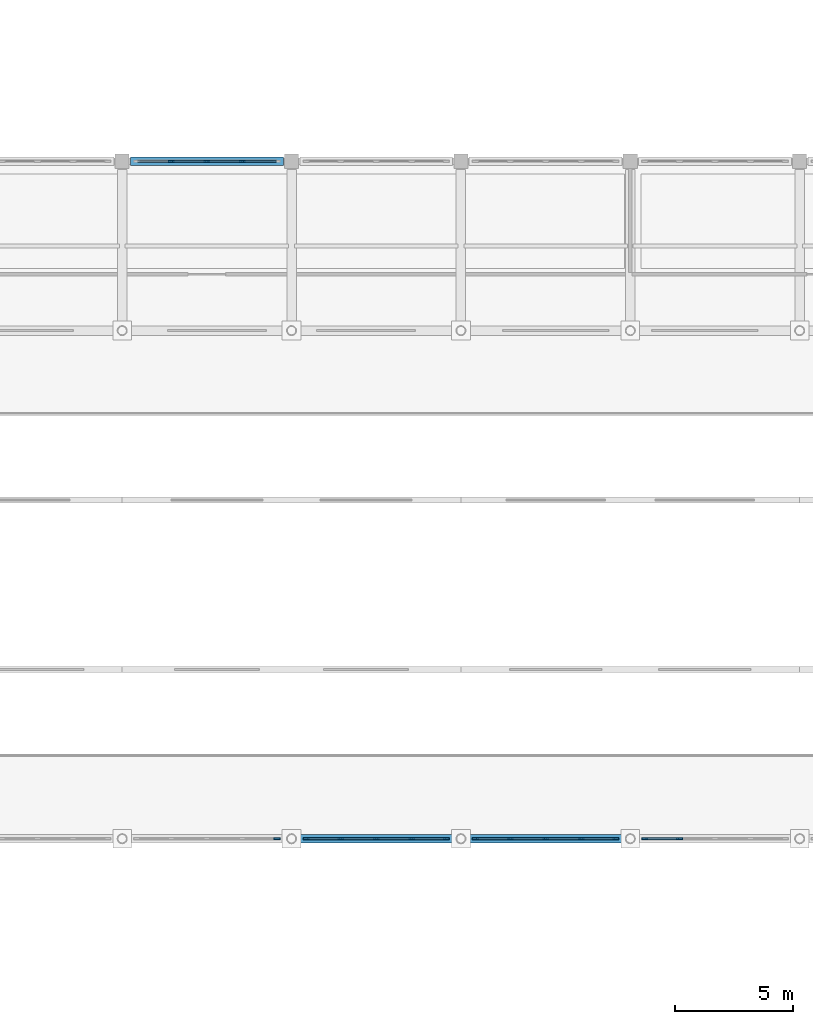
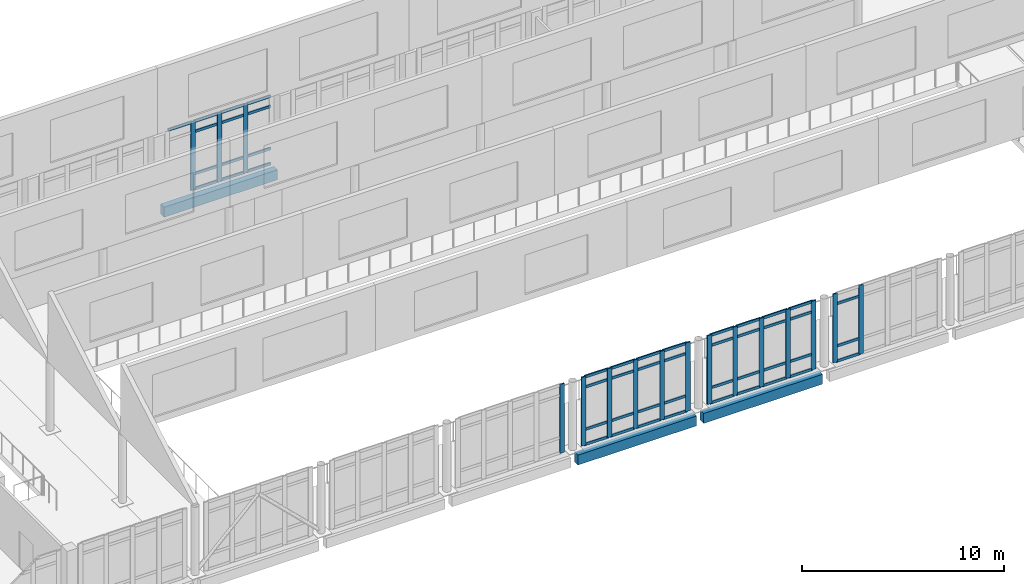
# One storey, part 15 of 62: 64 members, 3 beams, 5 elements without a shape of their own.
"""IFC4 building model written with IfcOpenShell, lengths in metres."""

from ifc_helpers import new_model, si_unit, direction, frame, origin, origin_2d, place, context, subcontext, project, spatial, rectangle, extrude, material, layer, layer_set, material_profile, profile_set, type_object, element, aggregate, save


model = new_model("IFC4")

# Units and contexts
model_context = context("Model", 3, precision=1e-05, world=origin(), true_north=direction((0.0, 1.0)))
body_context = subcontext(model_context, "Body", "Model", "MODEL_VIEW")
ifc_project = project(units=[si_unit("LENGTHUNIT", "METRE"), si_unit("AREAUNIT", "SQUARE_METRE"), si_unit("VOLUMEUNIT", "CUBIC_METRE"), si_unit("PLANEANGLEUNIT", "RADIAN"), si_unit("MASSUNIT", "GRAM", prefix="KILO")], contexts=[model_context])

# Site, building, storey
site_placement = place(None, origin())
site = spatial("IfcSite", under=ifc_project, at=site_placement, CompositionType="ELEMENT")
building_placement = place(site_placement, origin())
building = spatial("IfcBuilding", under=site, at=building_placement, Name="Valkovuoma Quantum and Materials Research Institute", CompositionType="ELEMENT")
storey_placement = place(building_placement, frame((0.0, 0.0, 13.1201171875)))
storey = spatial("IfcBuildingStorey", under=building, at=storey_placement, Name="L03", CompositionType="ELEMENT", Elevation=13.1201171875)

# Beams
ifc_material_1 = material(Name="Concrete C40/50", Category="concrete")
ifc_material_profile_1 = material_profile(ifc_material_1, rectangle(XDim=0.35009765625, YDim=0.60009765625, at=origin_2d()), Name="Concrete C40/50")
ifc_profile_set_1 = profile_set([ifc_material_profile_1], Name="Concrete C40/50")
beam_type = type_object("IfcBeamType", Name="Beam-B-SPN600", PredefinedType="SPANDREL", material=ifc_profile_set_1)
for number, where, z_axis, x_axis, name in (
    (1, (65.003173828125, 36.0, -0.650146484375), (1.0, 0.0, 0.0), (0.0, 1.0, 0.0), "L03 beam X-1433"),
    (2, (72.203125, 36.0, -0.650146484375), (1.0, 0.0, 0.0), (0.0, 1.0, 0.0), "L03 beam X-1434"),
):
    element("IfcBeam", number, at=place(storey_placement, frame(where, z_axis=z_axis, x_axis=x_axis)), inside=storey, type_object=beam_type, Name=name, PredefinedType="SPANDREL", context=body_context, shape_type="SweptSolid", body=[
        extrude(rectangle(XDim=0.35009765625, YDim=0.60009765625, at=origin_2d()), origin(), (0.0, 0.0, 1.0), 6.793701171875),
    ])
beam_placement = place(storey_placement, frame((57.949951171875, 64.800048828125, -0.650146484375), z_axis=(1.0, 0.0, 0.0), x_axis=(0.0, 1.0, 0.0)))
element("IfcBeam", 3, at=beam_placement, inside=storey, type_object=beam_type, Name="L03 beam X-1491", PredefinedType="SPANDREL", context=body_context, shape_type="SweptSolid", body=[
    extrude(rectangle(XDim=0.35009765625, YDim=0.60009765625, at=origin_2d()), origin(), (0.0, 0.0, 1.0), 6.5),
])

# Curtain wall, member
ifc_material_2 = material(Name="Thermally broken aluminium and triple low-E glazing", Category="aluminium")
ifc_layer = layer(ifc_material_2, 0.219970703125)
ifc_layer_set = layer_set([ifc_layer], Name="Thermally broken aluminium and triple low-E glazing")
curtain_wall_type = type_object("IfcCurtainWallType", Name="CW-CW-02", PredefinedType="NOTDEFINED", material=ifc_layer_set)
curtain_wall_1_placement = place(storey_placement, origin())
curtain_wall_1 = element("IfcCurtainWall", 4, at=curtain_wall_1_placement, inside=storey, type_object=curtain_wall_type, Name="L03 curtain wall 205", PredefinedType="NOTDEFINED")
ifc_material_3 = material(Name="Anodised aluminium 6060-T66", Category="aluminium")
ifc_material_profile_2 = material_profile(ifc_material_3, rectangle(XDim=0.080078125, YDim=0.260009765625, at=origin_2d()), Name="Anodised aluminium 6060-T66")
ifc_profile_set_2 = profile_set([ifc_material_profile_2], Name="Anodised aluminium 6060-T66")
member_type_1 = type_object("IfcMemberType", Name="CWMull-CWM-03", PredefinedType="MULLION", material=ifc_profile_set_2)
member_1_placement = place(storey_placement, frame((64.179931640625, 36.0, 0.0), z_axis=(0.0, 0.0, 1.0), x_axis=(0.0, 1.0, 0.0)))
member_1 = element("IfcMember", 5, at=member_1_placement, type_object=member_type_1, Name="CW-02 mullion 5", PredefinedType="MULLION", context=body_context, shape_type="SweptSolid", body=[
    extrude(rectangle(XDim=0.080078125, YDim=0.260009765625, at=origin_2d()), origin(), (0.0, 0.0, 1.0), 4.159912109375),
])
aggregate(curtain_wall_1, [member_1])

# Curtain wall, members
curtain_wall_2_placement = place(storey_placement, origin())
curtain_wall_2 = element("IfcCurtainWall", 6, at=curtain_wall_2_placement, inside=storey, type_object=curtain_wall_type, Name="L03 curtain wall 206", PredefinedType="NOTDEFINED")
member_2_placement = place(storey_placement, frame((65.419921875, 36.0, 0.0), z_axis=(0.0, 0.0, 1.0), x_axis=(0.0, 1.0, 0.0)))
member_2 = element("IfcMember", 7, at=member_2_placement, type_object=member_type_1, Name="CW-02 mullion 1", PredefinedType="MULLION", context=body_context, shape_type="SweptSolid", body=[
    extrude(rectangle(XDim=0.080078125, YDim=0.260009765625, at=origin_2d()), origin(), (0.0, 0.0, 1.0), 4.159912109375),
])
member_3_placement = place(storey_placement, frame((66.889892578125, 36.0, 0.0), z_axis=(0.0, 0.0, 1.0), x_axis=(0.0, 1.0, 0.0)))
member_3 = element("IfcMember", 8, at=member_3_placement, type_object=member_type_1, Name="CW-02 mullion 2", PredefinedType="MULLION", context=body_context, shape_type="SweptSolid", body=[
    extrude(rectangle(XDim=0.080078125, YDim=0.260009765625, at=origin_2d()), origin(), (0.0, 0.0, 1.0), 4.159912109375),
])
member_4_placement = place(storey_placement, frame((68.39990234375, 36.0, 0.0), z_axis=(0.0, 0.0, 1.0), x_axis=(0.0, 1.0, 0.0)))
member_4 = element("IfcMember", 9, at=member_4_placement, type_object=member_type_1, Name="CW-02 mullion 3", PredefinedType="MULLION", context=body_context, shape_type="SweptSolid", body=[
    extrude(rectangle(XDim=0.080078125, YDim=0.260009765625, at=origin_2d()), origin(), (0.0, 0.0, 1.0), 4.159912109375),
])
member_5_placement = place(storey_placement, frame((69.909912109375, 36.0, 0.0), z_axis=(0.0, 0.0, 1.0), x_axis=(0.0, 1.0, 0.0)))
member_5 = element("IfcMember", 10, at=member_5_placement, type_object=member_type_1, Name="CW-02 mullion 4", PredefinedType="MULLION", context=body_context, shape_type="SweptSolid", body=[
    extrude(rectangle(XDim=0.080078125, YDim=0.260009765625, at=origin_2d()), origin(), (0.0, 0.0, 1.0), 4.159912109375),
])
member_6_placement = place(storey_placement, frame((71.3798828125, 36.0, 0.0), z_axis=(0.0, 0.0, 1.0), x_axis=(0.0, 1.0, 0.0)))
member_6 = element("IfcMember", 11, at=member_6_placement, type_object=member_type_1, Name="CW-02 mullion 5", PredefinedType="MULLION", context=body_context, shape_type="SweptSolid", body=[
    extrude(rectangle(XDim=0.080078125, YDim=0.260009765625, at=origin_2d()), origin(), (0.0, 0.0, 1.0), 4.159912109375),
])

curtain_wall_3_placement = place(storey_placement, origin())
curtain_wall_3 = element("IfcCurtainWall", 12, at=curtain_wall_3_placement, inside=storey, type_object=curtain_wall_type, Name="L03 curtain wall 207", PredefinedType="NOTDEFINED")
member_7_placement = place(storey_placement, frame((72.6201171875, 36.0, 0.0), z_axis=(0.0, 0.0, 1.0), x_axis=(0.0, 1.0, 0.0)))
member_7 = element("IfcMember", 13, at=member_7_placement, type_object=member_type_1, Name="CW-02 mullion 1", PredefinedType="MULLION", context=body_context, shape_type="SweptSolid", body=[
    extrude(rectangle(XDim=0.080078125, YDim=0.260009765625, at=origin_2d()), origin(), (0.0, 0.0, 1.0), 4.159912109375),
])
member_8_placement = place(storey_placement, frame((74.090087890625, 36.0, 0.0), z_axis=(0.0, 0.0, 1.0), x_axis=(0.0, 1.0, 0.0)))
member_8 = element("IfcMember", 14, at=member_8_placement, type_object=member_type_1, Name="CW-02 mullion 2", PredefinedType="MULLION", context=body_context, shape_type="SweptSolid", body=[
    extrude(rectangle(XDim=0.080078125, YDim=0.260009765625, at=origin_2d()), origin(), (0.0, 0.0, 1.0), 4.159912109375),
])
member_9_placement = place(storey_placement, frame((75.60009765625, 36.0, 0.0), z_axis=(0.0, 0.0, 1.0), x_axis=(0.0, 1.0, 0.0)))
member_9 = element("IfcMember", 15, at=member_9_placement, type_object=member_type_1, Name="CW-02 mullion 3", PredefinedType="MULLION", context=body_context, shape_type="SweptSolid", body=[
    extrude(rectangle(XDim=0.080078125, YDim=0.260009765625, at=origin_2d()), origin(), (0.0, 0.0, 1.0), 4.159912109375),
])
member_10_placement = place(storey_placement, frame((77.110107421875, 36.0, 0.0), z_axis=(0.0, 0.0, 1.0), x_axis=(0.0, 1.0, 0.0)))
member_10 = element("IfcMember", 16, at=member_10_placement, type_object=member_type_1, Name="CW-02 mullion 4", PredefinedType="MULLION", context=body_context, shape_type="SweptSolid", body=[
    extrude(rectangle(XDim=0.080078125, YDim=0.260009765625, at=origin_2d()), origin(), (0.0, 0.0, 1.0), 4.159912109375),
])
member_11_placement = place(storey_placement, frame((78.580078125, 36.0, 0.0), z_axis=(0.0, 0.0, 1.0), x_axis=(0.0, 1.0, 0.0)))
member_11 = element("IfcMember", 17, at=member_11_placement, type_object=member_type_1, Name="CW-02 mullion 5", PredefinedType="MULLION", context=body_context, shape_type="SweptSolid", body=[
    extrude(rectangle(XDim=0.080078125, YDim=0.260009765625, at=origin_2d()), origin(), (0.0, 0.0, 1.0), 4.159912109375),
])

curtain_wall_4_placement = place(storey_placement, origin())
curtain_wall_4 = element("IfcCurtainWall", 18, at=curtain_wall_4_placement, inside=storey, type_object=curtain_wall_type, Name="L03 curtain wall 208", PredefinedType="NOTDEFINED")
member_12_placement = place(storey_placement, frame((79.820068359375, 36.0, 0.0), z_axis=(0.0, 0.0, 1.0), x_axis=(0.0, 1.0, 0.0)))
member_12 = element("IfcMember", 19, at=member_12_placement, type_object=member_type_1, Name="CW-02 mullion 1", PredefinedType="MULLION", context=body_context, shape_type="SweptSolid", body=[
    extrude(rectangle(XDim=0.080078125, YDim=0.260009765625, at=origin_2d()), origin(), (0.0, 0.0, 1.0), 4.159912109375),
])
member_13_placement = place(storey_placement, frame((81.2900390625, 36.0, 0.0), z_axis=(0.0, 0.0, 1.0), x_axis=(0.0, 1.0, 0.0)))
member_13 = element("IfcMember", 20, at=member_13_placement, type_object=member_type_1, Name="CW-02 mullion 2", PredefinedType="MULLION", context=body_context, shape_type="SweptSolid", body=[
    extrude(rectangle(XDim=0.080078125, YDim=0.260009765625, at=origin_2d()), origin(), (0.0, 0.0, 1.0), 4.159912109375),
])

curtain_wall_5_placement = place(storey_placement, origin())
curtain_wall_5 = element("IfcCurtainWall", 21, at=curtain_wall_5_placement, inside=storey, type_object=curtain_wall_type, Name="L03 curtain wall 213", PredefinedType="NOTDEFINED")
member_14_placement = place(storey_placement, frame((59.68994140625, 64.800048828125, 0.0), z_axis=(0.0, 0.0, 1.0), x_axis=(0.0, 1.0, 0.0)))
member_14 = element("IfcMember", 22, at=member_14_placement, type_object=member_type_1, Name="CW-02 mullion 2", PredefinedType="MULLION", context=body_context, shape_type="SweptSolid", body=[
    extrude(rectangle(XDim=0.080078125, YDim=0.260009765625, at=origin_2d()), origin(), (0.0, 0.0, 1.0), 4.159912109375),
])
member_15_placement = place(storey_placement, frame((61.199951171875, 64.800048828125, 0.0), z_axis=(0.0, 0.0, 1.0), x_axis=(0.0, 1.0, 0.0)))
member_15 = element("IfcMember", 23, at=member_15_placement, type_object=member_type_1, Name="CW-02 mullion 3", PredefinedType="MULLION", context=body_context, shape_type="SweptSolid", body=[
    extrude(rectangle(XDim=0.080078125, YDim=0.260009765625, at=origin_2d()), origin(), (0.0, 0.0, 1.0), 4.159912109375),
])
member_16_placement = place(storey_placement, frame((62.7099609375, 64.800048828125, 0.0), z_axis=(0.0, 0.0, 1.0), x_axis=(0.0, 1.0, 0.0)))
member_16 = element("IfcMember", 24, at=member_16_placement, type_object=member_type_1, Name="CW-02 mullion 4", PredefinedType="MULLION", context=body_context, shape_type="SweptSolid", body=[
    extrude(rectangle(XDim=0.080078125, YDim=0.260009765625, at=origin_2d()), origin(), (0.0, 0.0, 1.0), 4.159912109375),
])

# Member
ifc_material_4 = material(Name="Anodised aluminium 6060-T66", Category="aluminium")
ifc_material_profile_3 = material_profile(ifc_material_4, rectangle(XDim=0.074951171875, YDim=0.159912109375, at=origin_2d()), Name="Anodised aluminium 6060-T66")
ifc_profile_set_3 = profile_set([ifc_material_profile_3], Name="Anodised aluminium 6060-T66")
member_type_2 = type_object("IfcMemberType", Name="CWTran-CWT-02", PredefinedType="USERDEFINED", material=ifc_profile_set_3)
member_17_placement = place(storey_placement, frame((65.4599609375, 36.0, 0.037353515625), z_axis=(1.0, 0.0, 0.0), x_axis=(0.0, 1.0, 0.0)))
member_17 = element("IfcMember", 25, at=member_17_placement, type_object=member_type_2, Name="CW-02 transom 1.1", ObjectType="TRANSOM", PredefinedType="USERDEFINED", context=body_context, shape_type="SweptSolid", body=[
    extrude(rectangle(XDim=0.074951171875, YDim=0.159912109375, at=origin_2d()), origin(), (0.0, 0.0, 1.0), 1.39013671875),
])

member_18_placement = place(storey_placement, frame((65.4599609375, 36.0, 0.949951171875), z_axis=(1.0, 0.0, 0.0), x_axis=(0.0, 1.0, 0.0)))
member_18 = element("IfcMember", 26, at=member_18_placement, type_object=member_type_2, Name="CW-02 transom 1.2", ObjectType="TRANSOM", PredefinedType="USERDEFINED", context=body_context, shape_type="SweptSolid", body=[
    extrude(rectangle(XDim=0.074951171875, YDim=0.159912109375, at=origin_2d()), origin(), (0.0, 0.0, 1.0), 1.39013671875),
])

member_19_placement = place(storey_placement, frame((65.4599609375, 36.0, 3.509765625), z_axis=(1.0, 0.0, 0.0), x_axis=(0.0, 1.0, 0.0)))
member_19 = element("IfcMember", 27, at=member_19_placement, type_object=member_type_2, Name="CW-02 transom 1.3", ObjectType="TRANSOM", PredefinedType="USERDEFINED", context=body_context, shape_type="SweptSolid", body=[
    extrude(rectangle(XDim=0.074951171875, YDim=0.159912109375, at=origin_2d()), origin(), (0.0, 0.0, 1.0), 1.39013671875),
])

member_20_placement = place(storey_placement, frame((65.4599609375, 36.0, 4.122314453125), z_axis=(1.0, 0.0, 0.0), x_axis=(0.0, 1.0, 0.0)))
member_20 = element("IfcMember", 28, at=member_20_placement, type_object=member_type_2, Name="CW-02 transom 1.4", ObjectType="TRANSOM", PredefinedType="USERDEFINED", context=body_context, shape_type="SweptSolid", body=[
    extrude(rectangle(XDim=0.074951171875, YDim=0.159912109375, at=origin_2d()), origin(), (0.0, 0.0, 1.0), 1.39013671875),
])

member_21_placement = place(storey_placement, frame((66.929931640625, 36.0, 0.037353515625), z_axis=(1.0, 0.0, 0.0), x_axis=(0.0, 1.0, 0.0)))
member_21 = element("IfcMember", 29, at=member_21_placement, type_object=member_type_2, Name="CW-02 transom 2.1", ObjectType="TRANSOM", PredefinedType="USERDEFINED", context=body_context, shape_type="SweptSolid", body=[
    extrude(rectangle(XDim=0.074951171875, YDim=0.159912109375, at=origin_2d()), origin(), (0.0, 0.0, 1.0), 1.43017578125),
])

member_22_placement = place(storey_placement, frame((66.929931640625, 36.0, 0.949951171875), z_axis=(1.0, 0.0, 0.0), x_axis=(0.0, 1.0, 0.0)))
member_22 = element("IfcMember", 30, at=member_22_placement, type_object=member_type_2, Name="CW-02 transom 2.2", ObjectType="TRANSOM", PredefinedType="USERDEFINED", context=body_context, shape_type="SweptSolid", body=[
    extrude(rectangle(XDim=0.074951171875, YDim=0.159912109375, at=origin_2d()), origin(), (0.0, 0.0, 1.0), 1.43017578125),
])

member_23_placement = place(storey_placement, frame((66.929931640625, 36.0, 3.509765625), z_axis=(1.0, 0.0, 0.0), x_axis=(0.0, 1.0, 0.0)))
member_23 = element("IfcMember", 31, at=member_23_placement, type_object=member_type_2, Name="CW-02 transom 2.3", ObjectType="TRANSOM", PredefinedType="USERDEFINED", context=body_context, shape_type="SweptSolid", body=[
    extrude(rectangle(XDim=0.074951171875, YDim=0.159912109375, at=origin_2d()), origin(), (0.0, 0.0, 1.0), 1.43017578125),
])

member_24_placement = place(storey_placement, frame((66.929931640625, 36.0, 4.122314453125), z_axis=(1.0, 0.0, 0.0), x_axis=(0.0, 1.0, 0.0)))
member_24 = element("IfcMember", 32, at=member_24_placement, type_object=member_type_2, Name="CW-02 transom 2.4", ObjectType="TRANSOM", PredefinedType="USERDEFINED", context=body_context, shape_type="SweptSolid", body=[
    extrude(rectangle(XDim=0.074951171875, YDim=0.159912109375, at=origin_2d()), origin(), (0.0, 0.0, 1.0), 1.43017578125),
])

member_25_placement = place(storey_placement, frame((68.43994140625, 36.0, 0.037353515625), z_axis=(1.0, 0.0, 0.0), x_axis=(0.0, 1.0, 0.0)))
member_25 = element("IfcMember", 33, at=member_25_placement, type_object=member_type_2, Name="CW-02 transom 3.1", ObjectType="TRANSOM", PredefinedType="USERDEFINED", context=body_context, shape_type="SweptSolid", body=[
    extrude(rectangle(XDim=0.074951171875, YDim=0.159912109375, at=origin_2d()), origin(), (0.0, 0.0, 1.0), 1.43017578125),
])

member_26_placement = place(storey_placement, frame((68.43994140625, 36.0, 0.949951171875), z_axis=(1.0, 0.0, 0.0), x_axis=(0.0, 1.0, 0.0)))
member_26 = element("IfcMember", 34, at=member_26_placement, type_object=member_type_2, Name="CW-02 transom 3.2", ObjectType="TRANSOM", PredefinedType="USERDEFINED", context=body_context, shape_type="SweptSolid", body=[
    extrude(rectangle(XDim=0.074951171875, YDim=0.159912109375, at=origin_2d()), origin(), (0.0, 0.0, 1.0), 1.43017578125),
])

member_27_placement = place(storey_placement, frame((68.43994140625, 36.0, 3.509765625), z_axis=(1.0, 0.0, 0.0), x_axis=(0.0, 1.0, 0.0)))
member_27 = element("IfcMember", 35, at=member_27_placement, type_object=member_type_2, Name="CW-02 transom 3.3", ObjectType="TRANSOM", PredefinedType="USERDEFINED", context=body_context, shape_type="SweptSolid", body=[
    extrude(rectangle(XDim=0.074951171875, YDim=0.159912109375, at=origin_2d()), origin(), (0.0, 0.0, 1.0), 1.43017578125),
])

member_28_placement = place(storey_placement, frame((68.43994140625, 36.0, 4.122314453125), z_axis=(1.0, 0.0, 0.0), x_axis=(0.0, 1.0, 0.0)))
member_28 = element("IfcMember", 36, at=member_28_placement, type_object=member_type_2, Name="CW-02 transom 3.4", ObjectType="TRANSOM", PredefinedType="USERDEFINED", context=body_context, shape_type="SweptSolid", body=[
    extrude(rectangle(XDim=0.074951171875, YDim=0.159912109375, at=origin_2d()), origin(), (0.0, 0.0, 1.0), 1.43017578125),
])

member_29_placement = place(storey_placement, frame((69.949951171875, 36.0, 0.037353515625), z_axis=(1.0, 0.0, 0.0), x_axis=(0.0, 1.0, 0.0)))
member_29 = element("IfcMember", 37, at=member_29_placement, type_object=member_type_2, Name="CW-02 transom 4.1", ObjectType="TRANSOM", PredefinedType="USERDEFINED", context=body_context, shape_type="SweptSolid", body=[
    extrude(rectangle(XDim=0.074951171875, YDim=0.159912109375, at=origin_2d()), origin(), (0.0, 0.0, 1.0), 1.39013671875),
])

member_30_placement = place(storey_placement, frame((69.949951171875, 36.0, 0.949951171875), z_axis=(1.0, 0.0, 0.0), x_axis=(0.0, 1.0, 0.0)))
member_30 = element("IfcMember", 38, at=member_30_placement, type_object=member_type_2, Name="CW-02 transom 4.2", ObjectType="TRANSOM", PredefinedType="USERDEFINED", context=body_context, shape_type="SweptSolid", body=[
    extrude(rectangle(XDim=0.074951171875, YDim=0.159912109375, at=origin_2d()), origin(), (0.0, 0.0, 1.0), 1.39013671875),
])

member_31_placement = place(storey_placement, frame((69.949951171875, 36.0, 3.509765625), z_axis=(1.0, 0.0, 0.0), x_axis=(0.0, 1.0, 0.0)))
member_31 = element("IfcMember", 39, at=member_31_placement, type_object=member_type_2, Name="CW-02 transom 4.3", ObjectType="TRANSOM", PredefinedType="USERDEFINED", context=body_context, shape_type="SweptSolid", body=[
    extrude(rectangle(XDim=0.074951171875, YDim=0.159912109375, at=origin_2d()), origin(), (0.0, 0.0, 1.0), 1.39013671875),
])

member_32_placement = place(storey_placement, frame((69.949951171875, 36.0, 4.122314453125), z_axis=(1.0, 0.0, 0.0), x_axis=(0.0, 1.0, 0.0)))
member_32 = element("IfcMember", 40, at=member_32_placement, type_object=member_type_2, Name="CW-02 transom 4.4", ObjectType="TRANSOM", PredefinedType="USERDEFINED", context=body_context, shape_type="SweptSolid", body=[
    extrude(rectangle(XDim=0.074951171875, YDim=0.159912109375, at=origin_2d()), origin(), (0.0, 0.0, 1.0), 1.39013671875),
])

aggregate(curtain_wall_2, [member_2, member_3, member_4, member_5, member_6, member_17, member_18, member_19, member_20, member_21, member_22, member_23, member_24, member_25, member_26, member_27, member_28, member_29, member_30, member_31, member_32])

member_33_placement = place(storey_placement, frame((72.659912109375, 36.0, 0.037353515625), z_axis=(1.0, 0.0, 0.0), x_axis=(0.0, 1.0, 0.0)))
member_33 = element("IfcMember", 41, at=member_33_placement, type_object=member_type_2, Name="CW-02 transom 1.1", ObjectType="TRANSOM", PredefinedType="USERDEFINED", context=body_context, shape_type="SweptSolid", body=[
    extrude(rectangle(XDim=0.074951171875, YDim=0.159912109375, at=origin_2d()), origin(), (0.0, 0.0, 1.0), 1.39013671875),
])

member_34_placement = place(storey_placement, frame((72.659912109375, 36.0, 0.949951171875), z_axis=(1.0, 0.0, 0.0), x_axis=(0.0, 1.0, 0.0)))
member_34 = element("IfcMember", 42, at=member_34_placement, type_object=member_type_2, Name="CW-02 transom 1.2", ObjectType="TRANSOM", PredefinedType="USERDEFINED", context=body_context, shape_type="SweptSolid", body=[
    extrude(rectangle(XDim=0.074951171875, YDim=0.159912109375, at=origin_2d()), origin(), (0.0, 0.0, 1.0), 1.39013671875),
])

member_35_placement = place(storey_placement, frame((72.659912109375, 36.0, 3.509765625), z_axis=(1.0, 0.0, 0.0), x_axis=(0.0, 1.0, 0.0)))
member_35 = element("IfcMember", 43, at=member_35_placement, type_object=member_type_2, Name="CW-02 transom 1.3", ObjectType="TRANSOM", PredefinedType="USERDEFINED", context=body_context, shape_type="SweptSolid", body=[
    extrude(rectangle(XDim=0.074951171875, YDim=0.159912109375, at=origin_2d()), origin(), (0.0, 0.0, 1.0), 1.39013671875),
])

member_36_placement = place(storey_placement, frame((72.659912109375, 36.0, 4.122314453125), z_axis=(1.0, 0.0, 0.0), x_axis=(0.0, 1.0, 0.0)))
member_36 = element("IfcMember", 44, at=member_36_placement, type_object=member_type_2, Name="CW-02 transom 1.4", ObjectType="TRANSOM", PredefinedType="USERDEFINED", context=body_context, shape_type="SweptSolid", body=[
    extrude(rectangle(XDim=0.074951171875, YDim=0.159912109375, at=origin_2d()), origin(), (0.0, 0.0, 1.0), 1.39013671875),
])

member_37_placement = place(storey_placement, frame((74.1298828125, 36.0, 0.037353515625), z_axis=(1.0, 0.0, 0.0), x_axis=(0.0, 1.0, 0.0)))
member_37 = element("IfcMember", 45, at=member_37_placement, type_object=member_type_2, Name="CW-02 transom 2.1", ObjectType="TRANSOM", PredefinedType="USERDEFINED", context=body_context, shape_type="SweptSolid", body=[
    extrude(rectangle(XDim=0.074951171875, YDim=0.159912109375, at=origin_2d()), origin(), (0.0, 0.0, 1.0), 1.43017578125),
])

member_38_placement = place(storey_placement, frame((74.1298828125, 36.0, 0.949951171875), z_axis=(1.0, 0.0, 0.0), x_axis=(0.0, 1.0, 0.0)))
member_38 = element("IfcMember", 46, at=member_38_placement, type_object=member_type_2, Name="CW-02 transom 2.2", ObjectType="TRANSOM", PredefinedType="USERDEFINED", context=body_context, shape_type="SweptSolid", body=[
    extrude(rectangle(XDim=0.074951171875, YDim=0.159912109375, at=origin_2d()), origin(), (0.0, 0.0, 1.0), 1.43017578125),
])

member_39_placement = place(storey_placement, frame((74.1298828125, 36.0, 3.509765625), z_axis=(1.0, 0.0, 0.0), x_axis=(0.0, 1.0, 0.0)))
member_39 = element("IfcMember", 47, at=member_39_placement, type_object=member_type_2, Name="CW-02 transom 2.3", ObjectType="TRANSOM", PredefinedType="USERDEFINED", context=body_context, shape_type="SweptSolid", body=[
    extrude(rectangle(XDim=0.074951171875, YDim=0.159912109375, at=origin_2d()), origin(), (0.0, 0.0, 1.0), 1.43017578125),
])

member_40_placement = place(storey_placement, frame((74.1298828125, 36.0, 4.122314453125), z_axis=(1.0, 0.0, 0.0), x_axis=(0.0, 1.0, 0.0)))
member_40 = element("IfcMember", 48, at=member_40_placement, type_object=member_type_2, Name="CW-02 transom 2.4", ObjectType="TRANSOM", PredefinedType="USERDEFINED", context=body_context, shape_type="SweptSolid", body=[
    extrude(rectangle(XDim=0.074951171875, YDim=0.159912109375, at=origin_2d()), origin(), (0.0, 0.0, 1.0), 1.43017578125),
])

member_41_placement = place(storey_placement, frame((75.639892578125, 36.0, 0.037353515625), z_axis=(1.0, 0.0, 0.0), x_axis=(0.0, 1.0, 0.0)))
member_41 = element("IfcMember", 49, at=member_41_placement, type_object=member_type_2, Name="CW-02 transom 3.1", ObjectType="TRANSOM", PredefinedType="USERDEFINED", context=body_context, shape_type="SweptSolid", body=[
    extrude(rectangle(XDim=0.074951171875, YDim=0.159912109375, at=origin_2d()), origin(), (0.0, 0.0, 1.0), 1.43017578125),
])

member_42_placement = place(storey_placement, frame((75.639892578125, 36.0, 0.949951171875), z_axis=(1.0, 0.0, 0.0), x_axis=(0.0, 1.0, 0.0)))
member_42 = element("IfcMember", 50, at=member_42_placement, type_object=member_type_2, Name="CW-02 transom 3.2", ObjectType="TRANSOM", PredefinedType="USERDEFINED", context=body_context, shape_type="SweptSolid", body=[
    extrude(rectangle(XDim=0.074951171875, YDim=0.159912109375, at=origin_2d()), origin(), (0.0, 0.0, 1.0), 1.43017578125),
])

member_43_placement = place(storey_placement, frame((75.639892578125, 36.0, 3.509765625), z_axis=(1.0, 0.0, 0.0), x_axis=(0.0, 1.0, 0.0)))
member_43 = element("IfcMember", 51, at=member_43_placement, type_object=member_type_2, Name="CW-02 transom 3.3", ObjectType="TRANSOM", PredefinedType="USERDEFINED", context=body_context, shape_type="SweptSolid", body=[
    extrude(rectangle(XDim=0.074951171875, YDim=0.159912109375, at=origin_2d()), origin(), (0.0, 0.0, 1.0), 1.43017578125),
])

member_44_placement = place(storey_placement, frame((75.639892578125, 36.0, 4.122314453125), z_axis=(1.0, 0.0, 0.0), x_axis=(0.0, 1.0, 0.0)))
member_44 = element("IfcMember", 52, at=member_44_placement, type_object=member_type_2, Name="CW-02 transom 3.4", ObjectType="TRANSOM", PredefinedType="USERDEFINED", context=body_context, shape_type="SweptSolid", body=[
    extrude(rectangle(XDim=0.074951171875, YDim=0.159912109375, at=origin_2d()), origin(), (0.0, 0.0, 1.0), 1.43017578125),
])

member_45_placement = place(storey_placement, frame((77.14990234375, 36.0, 0.037353515625), z_axis=(1.0, 0.0, 0.0), x_axis=(0.0, 1.0, 0.0)))
member_45 = element("IfcMember", 53, at=member_45_placement, type_object=member_type_2, Name="CW-02 transom 4.1", ObjectType="TRANSOM", PredefinedType="USERDEFINED", context=body_context, shape_type="SweptSolid", body=[
    extrude(rectangle(XDim=0.074951171875, YDim=0.159912109375, at=origin_2d()), origin(), (0.0, 0.0, 1.0), 1.39013671875),
])

member_46_placement = place(storey_placement, frame((77.14990234375, 36.0, 0.949951171875), z_axis=(1.0, 0.0, 0.0), x_axis=(0.0, 1.0, 0.0)))
member_46 = element("IfcMember", 54, at=member_46_placement, type_object=member_type_2, Name="CW-02 transom 4.2", ObjectType="TRANSOM", PredefinedType="USERDEFINED", context=body_context, shape_type="SweptSolid", body=[
    extrude(rectangle(XDim=0.074951171875, YDim=0.159912109375, at=origin_2d()), origin(), (0.0, 0.0, 1.0), 1.39013671875),
])

member_47_placement = place(storey_placement, frame((77.14990234375, 36.0, 3.509765625), z_axis=(1.0, 0.0, 0.0), x_axis=(0.0, 1.0, 0.0)))
member_47 = element("IfcMember", 55, at=member_47_placement, type_object=member_type_2, Name="CW-02 transom 4.3", ObjectType="TRANSOM", PredefinedType="USERDEFINED", context=body_context, shape_type="SweptSolid", body=[
    extrude(rectangle(XDim=0.074951171875, YDim=0.159912109375, at=origin_2d()), origin(), (0.0, 0.0, 1.0), 1.39013671875),
])

member_48_placement = place(storey_placement, frame((77.14990234375, 36.0, 4.122314453125), z_axis=(1.0, 0.0, 0.0), x_axis=(0.0, 1.0, 0.0)))
member_48 = element("IfcMember", 56, at=member_48_placement, type_object=member_type_2, Name="CW-02 transom 4.4", ObjectType="TRANSOM", PredefinedType="USERDEFINED", context=body_context, shape_type="SweptSolid", body=[
    extrude(rectangle(XDim=0.074951171875, YDim=0.159912109375, at=origin_2d()), origin(), (0.0, 0.0, 1.0), 1.39013671875),
])

aggregate(curtain_wall_3, [member_7, member_8, member_9, member_10, member_11, member_33, member_34, member_35, member_36, member_37, member_38, member_39, member_40, member_41, member_42, member_43, member_44, member_45, member_46, member_47, member_48])

member_49_placement = place(storey_placement, frame((79.860107421875, 36.0, 0.037353515625), z_axis=(1.0, 0.0, 0.0), x_axis=(0.0, 1.0, 0.0)))
member_49 = element("IfcMember", 57, at=member_49_placement, type_object=member_type_2, Name="CW-02 transom 1.1", ObjectType="TRANSOM", PredefinedType="USERDEFINED", context=body_context, shape_type="SweptSolid", body=[
    extrude(rectangle(XDim=0.074951171875, YDim=0.159912109375, at=origin_2d()), origin(), (0.0, 0.0, 1.0), 1.389892578125),
])

member_50_placement = place(storey_placement, frame((79.860107421875, 36.0, 0.949951171875), z_axis=(1.0, 0.0, 0.0), x_axis=(0.0, 1.0, 0.0)))
member_50 = element("IfcMember", 58, at=member_50_placement, type_object=member_type_2, Name="CW-02 transom 1.2", ObjectType="TRANSOM", PredefinedType="USERDEFINED", context=body_context, shape_type="SweptSolid", body=[
    extrude(rectangle(XDim=0.074951171875, YDim=0.159912109375, at=origin_2d()), origin(), (0.0, 0.0, 1.0), 1.389892578125),
])

member_51_placement = place(storey_placement, frame((79.860107421875, 36.0, 3.509765625), z_axis=(1.0, 0.0, 0.0), x_axis=(0.0, 1.0, 0.0)))
member_51 = element("IfcMember", 59, at=member_51_placement, type_object=member_type_2, Name="CW-02 transom 1.3", ObjectType="TRANSOM", PredefinedType="USERDEFINED", context=body_context, shape_type="SweptSolid", body=[
    extrude(rectangle(XDim=0.074951171875, YDim=0.159912109375, at=origin_2d()), origin(), (0.0, 0.0, 1.0), 1.389892578125),
])

aggregate(curtain_wall_4, [member_12, member_13, member_49, member_50, member_51])

member_52_placement = place(storey_placement, frame((58.260009765625, 64.800048828125, 4.122314453125), z_axis=(1.0, 0.0, 0.0), x_axis=(0.0, 1.0, 0.0)))
member_52 = element("IfcMember", 60, at=member_52_placement, type_object=member_type_2, Name="CW-02 transom 1.4", ObjectType="TRANSOM", PredefinedType="USERDEFINED", context=body_context, shape_type="SweptSolid", body=[
    extrude(rectangle(XDim=0.074951171875, YDim=0.159912109375, at=origin_2d()), origin(), (0.0, 0.0, 1.0), 1.389892578125),
])

member_53_placement = place(storey_placement, frame((59.72998046875, 64.800048828125, 0.037353515625), z_axis=(1.0, 0.0, 0.0), x_axis=(0.0, 1.0, 0.0)))
member_53 = element("IfcMember", 61, at=member_53_placement, type_object=member_type_2, Name="CW-02 transom 2.1", ObjectType="TRANSOM", PredefinedType="USERDEFINED", context=body_context, shape_type="SweptSolid", body=[
    extrude(rectangle(XDim=0.074951171875, YDim=0.159912109375, at=origin_2d()), origin(), (0.0, 0.0, 1.0), 1.429931640625),
])

member_54_placement = place(storey_placement, frame((59.72998046875, 64.800048828125, 0.949951171875), z_axis=(1.0, 0.0, 0.0), x_axis=(0.0, 1.0, 0.0)))
member_54 = element("IfcMember", 62, at=member_54_placement, type_object=member_type_2, Name="CW-02 transom 2.2", ObjectType="TRANSOM", PredefinedType="USERDEFINED", context=body_context, shape_type="SweptSolid", body=[
    extrude(rectangle(XDim=0.074951171875, YDim=0.159912109375, at=origin_2d()), origin(), (0.0, 0.0, 1.0), 1.429931640625),
])

member_55_placement = place(storey_placement, frame((59.72998046875, 64.800048828125, 3.509765625), z_axis=(1.0, 0.0, 0.0), x_axis=(0.0, 1.0, 0.0)))
member_55 = element("IfcMember", 63, at=member_55_placement, type_object=member_type_2, Name="CW-02 transom 2.3", ObjectType="TRANSOM", PredefinedType="USERDEFINED", context=body_context, shape_type="SweptSolid", body=[
    extrude(rectangle(XDim=0.074951171875, YDim=0.159912109375, at=origin_2d()), origin(), (0.0, 0.0, 1.0), 1.429931640625),
])

member_56_placement = place(storey_placement, frame((59.72998046875, 64.800048828125, 4.122314453125), z_axis=(1.0, 0.0, 0.0), x_axis=(0.0, 1.0, 0.0)))
member_56 = element("IfcMember", 64, at=member_56_placement, type_object=member_type_2, Name="CW-02 transom 2.4", ObjectType="TRANSOM", PredefinedType="USERDEFINED", context=body_context, shape_type="SweptSolid", body=[
    extrude(rectangle(XDim=0.074951171875, YDim=0.159912109375, at=origin_2d()), origin(), (0.0, 0.0, 1.0), 1.429931640625),
])

member_57_placement = place(storey_placement, frame((61.239990234375, 64.800048828125, 0.037353515625), z_axis=(1.0, 0.0, 0.0), x_axis=(0.0, 1.0, 0.0)))
member_57 = element("IfcMember", 65, at=member_57_placement, type_object=member_type_2, Name="CW-02 transom 3.1", ObjectType="TRANSOM", PredefinedType="USERDEFINED", context=body_context, shape_type="SweptSolid", body=[
    extrude(rectangle(XDim=0.074951171875, YDim=0.159912109375, at=origin_2d()), origin(), (0.0, 0.0, 1.0), 1.429931640625),
])

member_58_placement = place(storey_placement, frame((61.239990234375, 64.800048828125, 0.949951171875), z_axis=(1.0, 0.0, 0.0), x_axis=(0.0, 1.0, 0.0)))
member_58 = element("IfcMember", 66, at=member_58_placement, type_object=member_type_2, Name="CW-02 transom 3.2", ObjectType="TRANSOM", PredefinedType="USERDEFINED", context=body_context, shape_type="SweptSolid", body=[
    extrude(rectangle(XDim=0.074951171875, YDim=0.159912109375, at=origin_2d()), origin(), (0.0, 0.0, 1.0), 1.429931640625),
])

member_59_placement = place(storey_placement, frame((61.239990234375, 64.800048828125, 3.509765625), z_axis=(1.0, 0.0, 0.0), x_axis=(0.0, 1.0, 0.0)))
member_59 = element("IfcMember", 67, at=member_59_placement, type_object=member_type_2, Name="CW-02 transom 3.3", ObjectType="TRANSOM", PredefinedType="USERDEFINED", context=body_context, shape_type="SweptSolid", body=[
    extrude(rectangle(XDim=0.074951171875, YDim=0.159912109375, at=origin_2d()), origin(), (0.0, 0.0, 1.0), 1.429931640625),
])

member_60_placement = place(storey_placement, frame((61.239990234375, 64.800048828125, 4.122314453125), z_axis=(1.0, 0.0, 0.0), x_axis=(0.0, 1.0, 0.0)))
member_60 = element("IfcMember", 68, at=member_60_placement, type_object=member_type_2, Name="CW-02 transom 3.4", ObjectType="TRANSOM", PredefinedType="USERDEFINED", context=body_context, shape_type="SweptSolid", body=[
    extrude(rectangle(XDim=0.074951171875, YDim=0.159912109375, at=origin_2d()), origin(), (0.0, 0.0, 1.0), 1.429931640625),
])

member_61_placement = place(storey_placement, frame((62.75, 64.800048828125, 0.037353515625), z_axis=(1.0, 0.0, 0.0), x_axis=(0.0, 1.0, 0.0)))
member_61 = element("IfcMember", 69, at=member_61_placement, type_object=member_type_2, Name="CW-02 transom 4.1", ObjectType="TRANSOM", PredefinedType="USERDEFINED", context=body_context, shape_type="SweptSolid", body=[
    extrude(rectangle(XDim=0.074951171875, YDim=0.159912109375, at=origin_2d()), origin(), (0.0, 0.0, 1.0), 1.389892578125),
])

member_62_placement = place(storey_placement, frame((62.75, 64.800048828125, 0.949951171875), z_axis=(1.0, 0.0, 0.0), x_axis=(0.0, 1.0, 0.0)))
member_62 = element("IfcMember", 70, at=member_62_placement, type_object=member_type_2, Name="CW-02 transom 4.2", ObjectType="TRANSOM", PredefinedType="USERDEFINED", context=body_context, shape_type="SweptSolid", body=[
    extrude(rectangle(XDim=0.074951171875, YDim=0.159912109375, at=origin_2d()), origin(), (0.0, 0.0, 1.0), 1.389892578125),
])

member_63_placement = place(storey_placement, frame((62.75, 64.800048828125, 3.509765625), z_axis=(1.0, 0.0, 0.0), x_axis=(0.0, 1.0, 0.0)))
member_63 = element("IfcMember", 71, at=member_63_placement, type_object=member_type_2, Name="CW-02 transom 4.3", ObjectType="TRANSOM", PredefinedType="USERDEFINED", context=body_context, shape_type="SweptSolid", body=[
    extrude(rectangle(XDim=0.074951171875, YDim=0.159912109375, at=origin_2d()), origin(), (0.0, 0.0, 1.0), 1.389892578125),
])

member_64_placement = place(storey_placement, frame((62.75, 64.800048828125, 4.122314453125), z_axis=(1.0, 0.0, 0.0), x_axis=(0.0, 1.0, 0.0)))
member_64 = element("IfcMember", 72, at=member_64_placement, type_object=member_type_2, Name="CW-02 transom 4.4", ObjectType="TRANSOM", PredefinedType="USERDEFINED", context=body_context, shape_type="SweptSolid", body=[
    extrude(rectangle(XDim=0.074951171875, YDim=0.159912109375, at=origin_2d()), origin(), (0.0, 0.0, 1.0), 1.389892578125),
])

aggregate(curtain_wall_5, [member_14, member_15, member_16, member_52, member_53, member_54, member_55, member_56, member_57, member_58, member_59, member_60, member_61, member_62, member_63, member_64])

save(model, "model.ifc")
